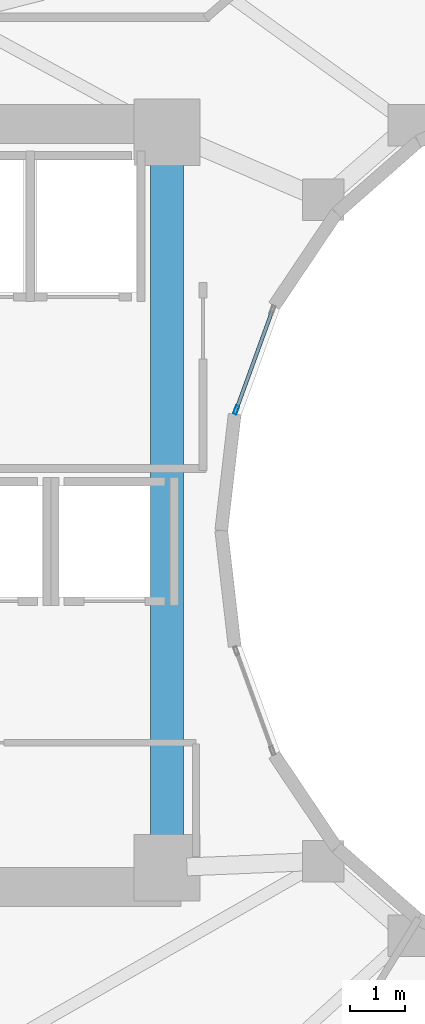
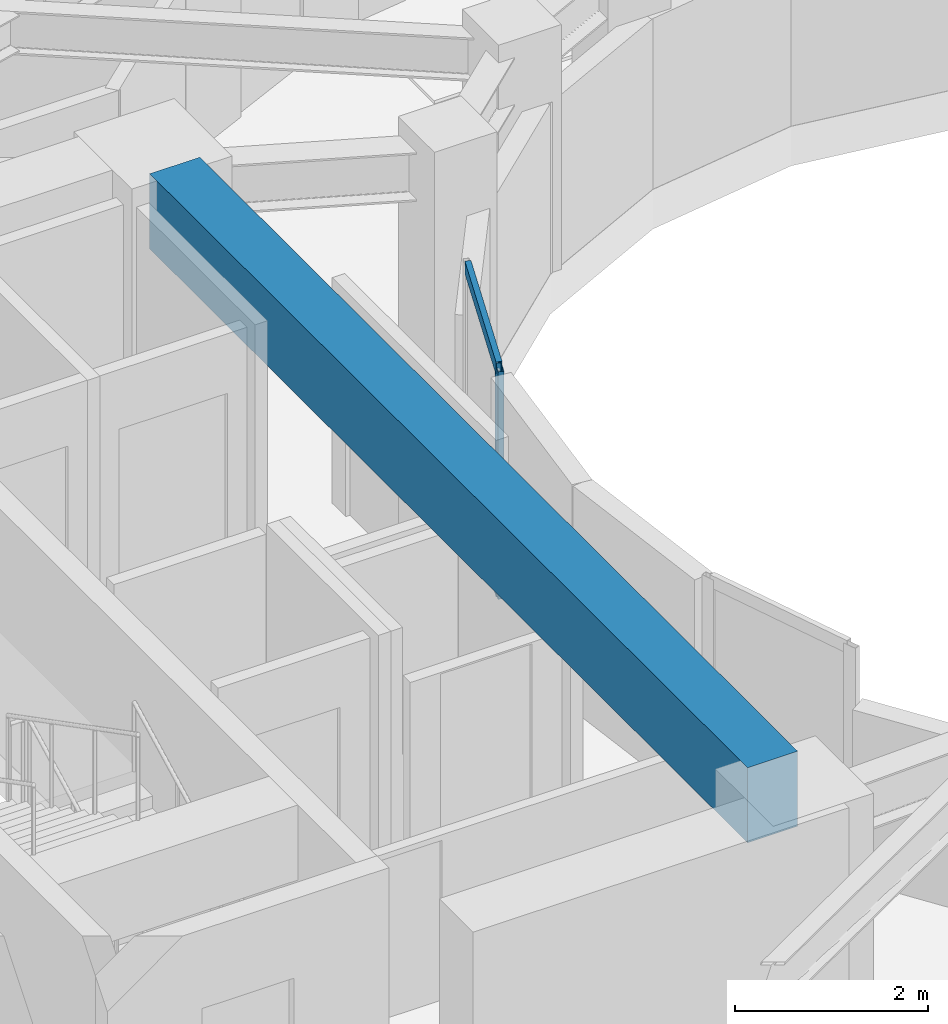
# One storey, part 6 of 20: 3 members, 1 beam, 1 element without a shape of its own.
"""IFC4 building model written with IfcOpenShell, lengths in metres."""

import ifcopenshell
import ifcopenshell.guid

model = None  # the IFC model being written
_history = None  # IfcOwnerHistory: only IFC2X3 demands one
_inside = {}  # id of a spatial element -> (the spatial element, [elements in it])
_under = {}  # id of a project, library or spatial element -> (it, [spatial elements below it])
_declared = {}  # id of a project -> (the project, [libraries it declares])
_typed = {}  # id of a type object -> (the type object, [elements of that type])
_made_of = {}  # id of a material, layer set ... -> (it, [elements and type objects made of it])


def new_model(schema):
    """Start an empty IFC model of exactly this schema.

    Asked for "IFC4X3", IfcOpenShell would pick the latest addendum, in which some entities
    have other attributes; the version numbers below select the first issue.
    IFC2X3 requires an IfcOwnerHistory on every rooted entity: one is made here for all.
    """
    global model, _history
    if schema == "IFC4X3":
        model = ifcopenshell.file(schema_version=(4, 3, 0, 0))
    else:
        model = ifcopenshell.file(schema=schema)
    _inside.clear()
    _under.clear()
    _declared.clear()
    _typed.clear()
    _made_of.clear()
    _history = None
    if model.schema == "IFC2X3":
        org = make("IfcOrganization", Name="unknown")
        user = make(
            "IfcPersonAndOrganization",
            ThePerson=make("IfcPerson", FamilyName="unknown"),
            TheOrganization=org,
        )
        app = make(
            "IfcApplication",
            ApplicationDeveloper=org,
            Version="unknown",
            ApplicationFullName="unknown",
            ApplicationIdentifier="unknown",
        )
        _history = make(
            "IfcOwnerHistory",
            OwningUser=user,
            OwningApplication=app,
            ChangeAction="ADDED",
            CreationDate=0,
        )
    return model


def make(cls, **values):
    """One entity of the class cls with the attributes given. An attribute that is None is left unset."""
    return model.create_entity(
        cls, **{name: value for name, value in values.items() if value is not None}
    )


def rooted(cls, **values):
    """An entity with a GlobalId (a new one), such as an element, a storey or a relation."""
    return make(cls, GlobalId=ifcopenshell.guid.new(), OwnerHistory=_history, **values)


def si_unit(unit_type, name, prefix=None):
    """IfcSIUnit, for example si_unit("LENGTHUNIT", "METRE", prefix="MILLI")."""
    return make("IfcSIUnit", UnitType=unit_type, Prefix=prefix, Name=name)


def assignment(units):
    """IfcUnitAssignment: the units of a project."""
    return None if units is None else make("IfcUnitAssignment", Units=units)


def point(xyz):
    """IfcCartesianPoint."""
    return None if xyz is None else make("IfcCartesianPoint", Coordinates=xyz)


def direction(xyz):
    """IfcDirection."""
    return None if xyz is None else make("IfcDirection", DirectionRatios=xyz)


def frame(location, z_axis=None, x_axis=None):
    """IfcAxis2Placement3D, a coordinate frame: its origin and axes. An axis left out is left unset."""
    return make(
        "IfcAxis2Placement3D",
        Location=point(location),
        Axis=direction(z_axis),
        RefDirection=direction(x_axis),
    )


def frame_2d(location, x_axis=None):
    """IfcAxis2Placement2D, a coordinate frame in the plane: its origin and x axis."""
    return make(
        "IfcAxis2Placement2D", Location=point(location), RefDirection=direction(x_axis)
    )


def origin():
    """The frame at (0, 0, 0) with its axes left unset."""
    return frame((0.0, 0.0, 0.0))


def origin_2d():
    """The frame at (0, 0) in the plane with its x axis left unset."""
    return frame_2d((0.0, 0.0))


def place(relative_to, where):
    """IfcLocalPlacement: puts the frame where relative to a parent placement (None: the world)."""
    return make(
        "IfcLocalPlacement", PlacementRelTo=relative_to, RelativePlacement=where
    )


def context(
    kind, dimensions, precision=None, world=None, true_north=None, identifier=None
):
    """IfcGeometricRepresentationContext, for example the 3D "Model" context."""
    return make(
        "IfcGeometricRepresentationContext",
        ContextIdentifier=identifier,
        ContextType=kind,
        CoordinateSpaceDimension=dimensions,
        Precision=precision,
        WorldCoordinateSystem=world,
        TrueNorth=true_north,
    )


def subcontext(parent, identifier, kind, view, scale=None):
    """IfcGeometricRepresentationSubContext, for example "Body" below "Model"."""
    return make(
        "IfcGeometricRepresentationSubContext",
        ContextIdentifier=identifier,
        ContextType=kind,
        ParentContext=parent,
        TargetScale=scale,
        TargetView=view,
    )


def project(units=None, contexts=None):
    """IfcProject with its units and contexts."""
    return rooted(
        "IfcProject",
        Name="project",
        RepresentationContexts=contexts,
        UnitsInContext=assignment(units),
    )


def spatial(cls, under=None, at=None, **own):
    """A site, building, storey or space (cls), placed at a placement, below another one or the project."""
    s = rooted(cls, ObjectPlacement=at, **own)
    if under is not None:
        _under.setdefault(under.id(), (under, []))[1].append(s)
    return s


def profile(cls, at=None, kind="AREA", **sizes):
    """A parametric profile (cls). Its sizes go by their IFC names, for example OverallWidth=200.0."""
    return make(cls, ProfileType=kind, Position=at, **sizes)


def rectangle(**sizes):
    """IfcRectangleProfileDef."""
    return profile("IfcRectangleProfileDef", **sizes)


def hollow_rectangle(**sizes):
    """IfcRectangleHollowProfileDef."""
    return profile("IfcRectangleHollowProfileDef", **sizes)


def extrude(swept, where, along, depth):
    """IfcExtrudedAreaSolid: the profile swept, set in the frame where, extruded along a direction by depth."""
    return make(
        "IfcExtrudedAreaSolid",
        SweptArea=swept,
        Position=where,
        ExtrudedDirection=direction(along),
        Depth=depth,
    )


def shape(context_of_items, identifier, shape_type, items):
    """IfcShapeRepresentation: the items that make up one representation, for example the "Body"."""
    return make(
        "IfcShapeRepresentation",
        ContextOfItems=context_of_items,
        RepresentationIdentifier=identifier,
        RepresentationType=shape_type,
        Items=items,
    )


def material(Name=None, Category=None):
    """IfcMaterial."""
    return make("IfcMaterial", Name=Name, Category=Category)


def layer(
    of_material, thickness, ventilated=None, Name=None, Category=None, Priority=None
):
    """IfcMaterialLayer: one layer of a wall or slab, of a material (None: an air gap)."""
    return make(
        "IfcMaterialLayer",
        Material=of_material,
        LayerThickness=thickness,
        IsVentilated=ventilated,
        Name=Name,
        Category=Category,
        Priority=Priority,
    )


def layer_set(layers, Name=None):
    """IfcMaterialLayerSet."""
    return make("IfcMaterialLayerSet", MaterialLayers=layers, LayerSetName=Name)


def material_profile(
    of_material, cross_section, Name=None, Category=None, Priority=None
):
    """IfcMaterialProfile: a cross section and its material."""
    return make(
        "IfcMaterialProfile",
        Name=Name,
        Material=of_material,
        Profile=cross_section,
        Priority=Priority,
        Category=Category,
    )


def profile_set(profiles, Name=None, composite=None):
    """IfcMaterialProfileSet."""
    return make(
        "IfcMaterialProfileSet",
        Name=Name,
        MaterialProfiles=profiles,
        CompositeProfile=composite,
    )


def made_of(thing, what):
    """Note that an element or type object is made of a material, layer set ...; save() writes the relation."""
    if what is not None:
        _made_of.setdefault(what.id(), (what, []))[1].append(thing)
    return thing


def type_object(cls, material=None, **own):
    """A type object (cls), such as IfcWallType, which elements share."""
    return made_of(rooted(cls, **own), material)


def element(
    cls,
    number,
    at=None,
    inside=None,
    cuts=None,
    type_object=None,
    material=None,
    context=None,
    identifier="Body",
    shape_type=None,
    held_by="IfcProductDefinitionShape",
    body=None,
    shapes=None,
    **own,
):
    """One element of the class cls, such as IfcWall. Its Tag is "e" and its number.

    at: its placement. inside: the storey or other place that contains it. cuts: it is an
    opening in that element (IfcRelVoidsElement). A single representation is given by context,
    identifier, shape_type and body (its items); several are given by shapes. held_by: the class
    of the entity that holds the representations. save() writes the other relations.
    """
    e = rooted(cls, Tag="e%d" % number, ObjectPlacement=at, **own)
    if body is not None:
        shapes = [shape(context, identifier, shape_type, body)]
    if shapes is not None:
        e.Representation = make(held_by, Representations=shapes)
    if inside is not None:
        _inside.setdefault(inside.id(), (inside, []))[1].append(e)
    if cuts is not None:
        rooted(
            "IfcRelVoidsElement", RelatingBuildingElement=cuts, RelatedOpeningElement=e
        )
    if type_object is not None:
        _typed.setdefault(type_object.id(), (type_object, []))[1].append(e)
    return made_of(e, material)


def aggregate(whole, parts):
    """IfcRelAggregates: a whole, such as a stair, and the parts it consists of."""
    return rooted("IfcRelAggregates", RelatingObject=whole, RelatedObjects=parts)


def save(model, path):
    """Write the relations noted so far, then the file.

    IfcRelAggregates (storeys below a building ...), IfcRelContainedInSpatialStructure (elements
    in a storey), IfcRelDefinesByType, IfcRelAssociatesMaterial and IfcRelDeclares: one each for
    every whole, place, type object, material and project.
    """
    for whole, parts in _under.values():
        aggregate(whole, parts)
    for where, things in _inside.values():
        rooted(
            "IfcRelContainedInSpatialStructure",
            RelatedElements=things,
            RelatingStructure=where,
        )
    for kind, things in _typed.values():
        rooted("IfcRelDefinesByType", RelatedObjects=things, RelatingType=kind)
    for what, things in _made_of.values():
        rooted("IfcRelAssociatesMaterial", RelatedObjects=things, RelatingMaterial=what)
    for by, libraries in _declared.values():
        rooted("IfcRelDeclares", RelatingContext=by, RelatedDefinitions=libraries)
    model.write(path)


model = new_model("IFC4")

# Units and contexts
model_context = context("Model", 3, precision=1e-05, world=origin(), true_north=direction((0.0, 1.0)))
body_context = subcontext(model_context, "Body", "Model", "MODEL_VIEW")
ifc_project = project(units=[si_unit("LENGTHUNIT", "METRE"), si_unit("AREAUNIT", "SQUARE_METRE"), si_unit("VOLUMEUNIT", "CUBIC_METRE"), si_unit("PLANEANGLEUNIT", "RADIAN"), si_unit("MASSUNIT", "GRAM", prefix="KILO")], contexts=[model_context])

# Site, building, storey
site_placement = place(None, origin())
site = spatial("IfcSite", under=ifc_project, at=site_placement, CompositionType="ELEMENT")
building_placement = place(site_placement, origin())
building = spatial("IfcBuilding", under=site, at=building_placement, Name="Solvane Sanctuary Tower", CompositionType="ELEMENT")
storey_placement = place(building_placement, frame((0.0, 0.0, 137.39990234375)))
storey = spatial("IfcBuildingStorey", under=building, at=storey_placement, Name="L41", CompositionType="ELEMENT", Elevation=137.39990234375)

# Beam
ifc_material_1 = material(Name="Concrete C70/85", Category="concrete")
ifc_material_profile_1 = material_profile(ifc_material_1, rectangle(XDim=0.60009765625, YDim=0.949951171875, at=origin_2d()), Name="RC600X950")
ifc_profile_set_1 = profile_set([ifc_material_profile_1], Name="Concrete C70/85")
beam_type = type_object("IfcBeamType", Name="Beam B-COUPLE RC600X950", PredefinedType="LINTEL", material=ifc_profile_set_1)
beam_placement = place(storey_placement, frame((23.89990234375, 17.35009765625, 2.625), z_axis=(0.0, 1.0, 0.0), x_axis=(-1.0, 0.0, 0.0)))
element("IfcBeam", 1, at=beam_placement, inside=storey, type_object=beam_type, Name="L41 West Core Coupling Lintel", PredefinedType="LINTEL", context=body_context, shape_type="SweptSolid", body=[
    extrude(rectangle(XDim=0.60009765625, YDim=0.949951171875, at=origin_2d()), origin(), (0.0, 0.0, 1.0), 12.39990234375),
])

# Curtain wall, members
ifc_material_2 = material(Name="Anodised Aluminium 6063-T6", Category="aluminium")
ifc_layer = layer(ifc_material_2, 0.199951171875, Name="Anodised Aluminium 6063-T6")
ifc_layer_set = layer_set([ifc_layer], Name="Anodised Aluminium 6063-T6")
curtain_wall_type = type_object("IfcCurtainWallType", Name="Curtain Wall CW-WELL", PredefinedType="NOTDEFINED", material=ifc_layer_set)
curtain_wall_placement = place(storey_placement, origin())
curtain_wall = element("IfcCurtainWall", 2, at=curtain_wall_placement, inside=storey, type_object=curtain_wall_type, Name="L41 Light-Well Glazed Curtain Wall 10", PredefinedType="NOTDEFINED")
ifc_material_profile_2 = material_profile(ifc_material_2, hollow_rectangle(XDim=0.06494140625, YDim=0.159912109375, WallThickness=0.00341796875, at=origin_2d()), Name="ALU160X65X3.5")
ifc_profile_set_2 = profile_set([ifc_material_profile_2], Name="Anodised Aluminium 6063-T6")
member_type_1 = type_object("IfcMemberType", Name="Member M-CW-MUL-2 ALU160X65X3.5", PredefinedType="MULLION", material=ifc_profile_set_2)
member_1_placement = place(storey_placement, frame((25.15087890625, 25.17919921875, 0.0), z_axis=(0.0, 0.0, 1.0), x_axis=(0.939933181429, -0.341358483781, 0.0)))
member_1 = element("IfcMember", 3, at=member_1_placement, type_object=member_type_1, Name="CW-WELL mullion 2", PredefinedType="MULLION", context=body_context, shape_type="SweptSolid", body=[
    extrude(hollow_rectangle(XDim=0.06494140625, YDim=0.159912109375, WallThickness=0.00341796875, at=origin_2d()), origin(), (0.0, 0.0, 1.0), 2.880126953125),
])
ifc_material_profile_3 = material_profile(ifc_material_2, hollow_rectangle(XDim=0.06494140625, YDim=0.159912109375, WallThickness=0.00341796875, at=origin_2d()), Name="ALU160X65X3.5")
ifc_profile_set_3 = profile_set([ifc_material_profile_3], Name="Anodised Aluminium 6063-T6")
member_type_2 = type_object("IfcMemberType", Name="Member M-CW-TRN-1 ALU160X65X3.5", PredefinedType="USERDEFINED", material=ifc_profile_set_3)
member_2_placement = place(storey_placement, frame((25.794677734375, 26.951904296875, 0.03271484375), z_axis=(-0.341404620561, -0.939916424508, 0.0), x_axis=(0.939916424508, -0.341404620561, 0.0)))
member_2 = element("IfcMember", 4, at=member_2_placement, type_object=member_type_2, Name="CW-WELL transom 1.1", ObjectType="TRANSOM", PredefinedType="USERDEFINED", context=body_context, shape_type="SweptSolid", body=[
    extrude(hollow_rectangle(XDim=0.06494140625, YDim=0.159912109375, WallThickness=0.00341796875, at=origin_2d()), origin(), (0.0, 0.0, 1.0), 1.853515625),
])
member_3_placement = place(storey_placement, frame((25.794677734375, 26.951904296875, 2.84765625), z_axis=(-0.341404620561, -0.939916424508, 0.0), x_axis=(0.939916424508, -0.341404620561, 0.0)))
member_3 = element("IfcMember", 5, at=member_3_placement, type_object=member_type_2, Name="CW-WELL transom 1.2", ObjectType="TRANSOM", PredefinedType="USERDEFINED", context=body_context, shape_type="SweptSolid", body=[
    extrude(hollow_rectangle(XDim=0.06494140625, YDim=0.159912109375, WallThickness=0.00341796875, at=origin_2d()), origin(), (0.0, 0.0, 1.0), 1.853515625),
])
aggregate(curtain_wall, [member_1, member_2, member_3])

save(model, "model.ifc")
